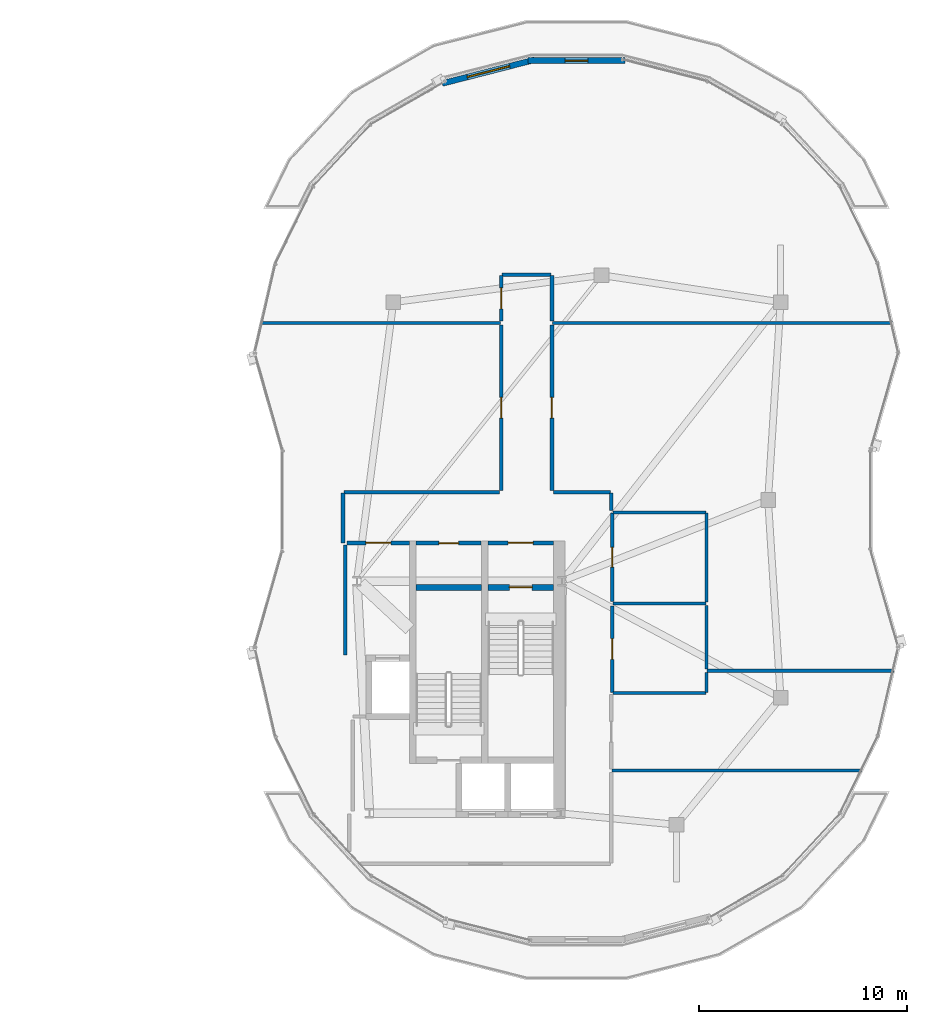
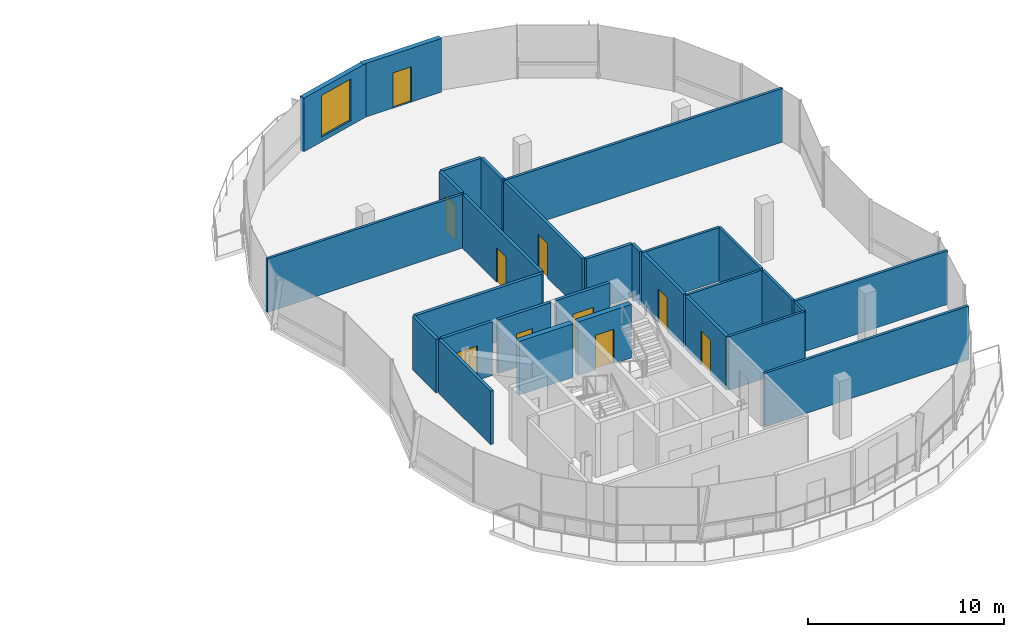
# One storey, part 14 of 20: 29 walls, 10 doors, 1 window, 11 openings.
"""IFC4 building model written with IfcOpenShell, lengths in metres."""

from ifc_helpers import new_model, si_unit, direction, frame, frame_2d, origin, place, context, subcontext, project, spatial, rectangle, extrude, material, layer, layer_set, type_object, element, fill, save


model = new_model("IFC4")

# Units and contexts
model_context = context("Model", 3, precision=1e-05, world=origin(), true_north=direction((0.0, 1.0)))
body_context = subcontext(model_context, "Body", "Model", "MODEL_VIEW")
ifc_project = project(units=[si_unit("LENGTHUNIT", "METRE"), si_unit("AREAUNIT", "SQUARE_METRE"), si_unit("VOLUMEUNIT", "CUBIC_METRE"), si_unit("PLANEANGLEUNIT", "RADIAN"), si_unit("MASSUNIT", "GRAM", prefix="KILO"), si_unit("THERMODYNAMICTEMPERATUREUNIT", "KELVIN"), si_unit("POWERUNIT", "WATT")], contexts=[model_context])

# Site, building, storey
site_placement = place(None, origin())
site = spatial("IfcSite", under=ifc_project, at=site_placement, CompositionType="ELEMENT")
building_placement = place(site_placement, origin())
building = spatial("IfcBuilding", under=site, at=building_placement, Name="Cundina Bronze Exchange", CompositionType="ELEMENT")
storey_placement = place(building_placement, frame((0.0, 0.0, 279.199951171875)))
storey = spatial("IfcBuildingStorey", under=building, at=storey_placement, Name="L74", CompositionType="ELEMENT", Elevation=279.199951171875)

# Wall
ifc_material_1 = material(Name="Gypsum Fireboard Partition EI120")
ifc_layer_1 = layer(ifc_material_1, 0.179931640625, Name="Gypsum Fireboard Partition EI120")
ifc_layer_set_1 = layer_set([ifc_layer_1], Name="Gypsum Fireboard Partition EI120")
wall_type_1 = type_object("IfcWallType", Name="WL-COR-180", PredefinedType="PARTITIONING", material=ifc_layer_set_1)
wall_1_placement = place(storey_placement, frame((20.889892578125, -7.449951171875, 0.0), z_axis=(0.0, 0.0, 1.0), x_axis=(0.0, 1.0, 0.0)))
element("IfcWall", 1, at=wall_1_placement, inside=storey, type_object=wall_type_1, Name="L74 E Firefighting Lobby Side Wall", PredefinedType="PARTITIONING", context=body_context, shape_type="SweptSolid", body=[
    extrude(rectangle(XDim=5.300048828125, YDim=0.179931640625, at=frame_2d((2.64990234375, 0.0))), origin(), (0.0, 0.0, 1.0), 3.340087890625),
])

# Wall, opening, door
wall_2_placement = place(storey_placement, frame((20.97998046875, -2.06005859375, 0.0), z_axis=(0.0, 0.0, 1.0), x_axis=(1.0, 0.0, 0.0)))
wall_2 = element("IfcWall", 2, at=wall_2_placement, inside=storey, type_object=wall_type_1, Name="L74 E Firefighting Lobby Exit Wall", PredefinedType="PARTITIONING", context=body_context, shape_type="SweptSolid", body=[
    extrude(rectangle(XDim=3.0, YDim=0.179931640625, at=frame_2d((1.5, 0.0))), origin(), (0.0, 0.0, 1.0), 3.340087890625),
])
opening_1_placement = place(wall_2_placement, frame((0.89990234375, 0.0, 0.0)))
opening_1 = element("IfcOpeningElement", 3, at=opening_1_placement, cuts=wall_2, Name="Opening DF-01", PredefinedType="OPENING", context=body_context, shape_type="SweptSolid", body=[
    extrude(rectangle(XDim=1.199951171875, YDim=2.14990234375, at=frame_2d((0.60009765625, 1.074951171875))), frame((0.0, 0.099853515625, 0.0), z_axis=(0.0, -1.0, 0.0), x_axis=(1.0, 0.0, 0.0)), (0.0, 0.0, 1.0), 0.199951171875),
])
ifc_material_2 = material(Name="Steel ASTM A36 Painted", Category="steel")
door_type_1 = type_object("IfcDoorType", Name="DR-FFL-1200", OperationType="NOTDEFINED", PredefinedType="DOOR", material=ifc_material_2)
door_1_placement = place(opening_1_placement, origin())
door_1 = element("IfcDoor", 4, at=door_1_placement, inside=storey, type_object=door_type_1, Name="L74 E Firefighting Lobby Door", OperationType="SINGLE_SWING_LEFT", OverallHeight=2.14990234375, OverallWidth=1.199951171875, PredefinedType="DOOR", context=body_context, shape_type="SweptSolid", body=[
    extrude(rectangle(XDim=1.199951171875, YDim=2.14990234375, at=frame_2d((0.60009765625, 1.074951171875))), frame((0.0, 0.02490234375, 0.0), z_axis=(0.0, -1.0, 0.0), x_axis=(1.0, 0.0, 0.0)), (0.0, 0.0, 1.0), 0.050048828125),
])
fill(opening_1, door_1)

wall_3_placement = place(storey_placement, frame((27.739990234375, -2.06005859375, 0.0), z_axis=(0.0, 0.0, 1.0), x_axis=(1.0, 0.0, 0.0)))
wall_3 = element("IfcWall", 5, at=wall_3_placement, inside=storey, type_object=wall_type_1, Name="L74 E Stair Vestibule Exit Wall", PredefinedType="PARTITIONING", context=body_context, shape_type="SweptSolid", body=[
    extrude(rectangle(XDim=3.159912109375, YDim=0.179931640625, at=frame_2d((1.580078125, 0.0))), origin(), (0.0, 0.0, 1.0), 3.340087890625),
])
opening_2_placement = place(wall_3_placement, frame((0.97998046875, 0.0, 0.0)))
opening_2 = element("IfcOpeningElement", 6, at=opening_2_placement, cuts=wall_3, Name="Opening DF-01", PredefinedType="OPENING", context=body_context, shape_type="SweptSolid", body=[
    extrude(rectangle(XDim=1.199951171875, YDim=2.14990234375, at=frame_2d((0.60009765625, 1.074951171875))), frame((0.0, 0.099853515625, 0.0), z_axis=(0.0, -1.0, 0.0), x_axis=(1.0, 0.0, 0.0)), (0.0, 0.0, 1.0), 0.199951171875),
])
door_2_placement = place(opening_2_placement, origin())
door_2 = element("IfcDoor", 7, at=door_2_placement, inside=storey, type_object=door_type_1, Name="L74 E Stair Vestibule Door", OperationType="SINGLE_SWING_RIGHT", OverallHeight=2.14990234375, OverallWidth=1.199951171875, PredefinedType="DOOR", context=body_context, shape_type="SweptSolid", body=[
    extrude(rectangle(XDim=1.199951171875, YDim=2.14990234375, at=frame_2d((0.60009765625, 1.074951171875))), frame((0.0, 0.02490234375, 0.0), z_axis=(0.0, -1.0, 0.0), x_axis=(1.0, 0.0, 0.0)), (0.0, 0.0, 1.0), 0.050048828125),
])
fill(opening_2, door_2)

wall_4_placement = place(storey_placement, frame((24.300048828125, -2.070068359375, 0.0), z_axis=(0.0, 0.0, 1.0), x_axis=(1.0, 0.0, 0.0)))
wall_4 = element("IfcWall", 8, at=wall_4_placement, inside=storey, type_object=wall_type_1, Name="L74 Interior Partition 031", PredefinedType="PARTITIONING", context=body_context, shape_type="SweptSolid", body=[
    extrude(rectangle(XDim=3.119873046875, YDim=0.179931640625, at=frame_2d((1.56005859375, 0.0))), origin(), (0.0, 0.0, 1.0), 3.340087890625),
])
opening_3_placement = place(wall_4_placement, frame((1.0849609375, 0.0, 0.0)))
opening_3 = element("IfcOpeningElement", 9, at=opening_3_placement, cuts=wall_4, Name="Opening DW-01", PredefinedType="OPENING", context=body_context, shape_type="SweptSolid", body=[
    extrude(rectangle(XDim=0.949951171875, YDim=2.10009765625, at=frame_2d((0.47509765625, 1.050048828125))), frame((0.0, 0.099853515625, 0.0), z_axis=(0.0, -1.0, 0.0), x_axis=(1.0, 0.0, 0.0)), (0.0, 0.0, 1.0), 0.199951171875),
])
ifc_material_3 = material(Name="Solid Andean Oak Timber Grade A", Category="wood")
door_type_2 = type_object("IfcDoorType", Name="DR-WC-950", OperationType="NOTDEFINED", PredefinedType="DOOR", material=ifc_material_3)
door_3_placement = place(opening_3_placement, origin())
door_3 = element("IfcDoor", 10, at=door_3_placement, inside=storey, type_object=door_type_2, Name="L74 Interior Door 031", OperationType="SINGLE_SWING_RIGHT", OverallHeight=2.10009765625, OverallWidth=0.949951171875, PredefinedType="DOOR", context=body_context, shape_type="SweptSolid", body=[
    extrude(rectangle(XDim=0.949951171875, YDim=2.10009765625, at=frame_2d((0.47509765625, 1.050048828125))), frame((0.0, 0.02490234375, 0.0), z_axis=(0.0, -1.0, 0.0), x_axis=(1.0, 0.0, 0.0)), (0.0, 0.0, 1.0), 0.050048828125),
])
fill(opening_3, door_3)

wall_5_placement = place(storey_placement, frame((33.719970703125, -4.8798828125, 0.0), z_axis=(0.0, 0.0, 1.0), x_axis=(0.0, 1.0, 0.0)))
wall_5 = element("IfcWall", 11, at=wall_5_placement, inside=storey, type_object=wall_type_1, Name="L74 Interior Partition 038", PredefinedType="PARTITIONING", context=body_context, shape_type="SweptSolid", body=[
    extrude(rectangle(XDim=4.259765625, YDim=0.179931640625, at=frame_2d((2.1298828125, 0.0))), origin(), (0.0, 0.0, 1.0), 3.340087890625),
])
opening_4_placement = place(wall_5_placement, frame((1.655029296875, 0.0, 0.0)))
opening_4 = element("IfcOpeningElement", 12, at=opening_4_placement, cuts=wall_5, Name="Opening DW-01", PredefinedType="OPENING", context=body_context, shape_type="SweptSolid", body=[
    extrude(rectangle(XDim=0.949951171875, YDim=2.10009765625, at=frame_2d((0.47509765625, 1.050048828125))), frame((0.0, 0.099853515625, 0.0), z_axis=(0.0, -1.0, 0.0), x_axis=(1.0, 0.0, 0.0)), (0.0, 0.0, 1.0), 0.199951171875),
])
door_4_placement = place(opening_4_placement, origin())
door_4 = element("IfcDoor", 13, at=door_4_placement, inside=storey, type_object=door_type_2, Name="L74 Interior Door 038", OperationType="SINGLE_SWING_RIGHT", OverallHeight=2.10009765625, OverallWidth=0.949951171875, PredefinedType="DOOR", context=body_context, shape_type="SweptSolid", body=[
    extrude(rectangle(XDim=0.949951171875, YDim=2.10009765625, at=frame_2d((0.47509765625, 1.050048828125))), frame((0.0, 0.02490234375, 0.0), z_axis=(0.0, -1.0, 0.0), x_axis=(1.0, 0.0, 0.0)), (0.0, 0.0, 1.0), 0.050048828125),
])
fill(opening_4, door_4)

wall_6_placement = place(storey_placement, frame((33.719970703125, -9.239990234375, 0.0), z_axis=(0.0, 0.0, 1.0), x_axis=(0.0, 1.0, 0.0)))
wall_6 = element("IfcWall", 14, at=wall_6_placement, inside=storey, type_object=wall_type_1, Name="L74 Interior Partition 039", PredefinedType="PARTITIONING", context=body_context, shape_type="SweptSolid", body=[
    extrude(rectangle(XDim=4.159912109375, YDim=0.179931640625, at=frame_2d((2.080078125, 0.0))), origin(), (0.0, 0.0, 1.0), 3.340087890625),
])
opening_5_placement = place(wall_6_placement, frame((1.580078125, 0.0, 0.0)))
opening_5 = element("IfcOpeningElement", 15, at=opening_5_placement, cuts=wall_6, Name="Opening DO-01", PredefinedType="OPENING", context=body_context, shape_type="SweptSolid", body=[
    extrude(rectangle(XDim=1.0, YDim=2.14990234375, at=frame_2d((0.5, 1.074951171875))), frame((0.0, 0.099853515625, 0.0), z_axis=(0.0, -1.0, 0.0), x_axis=(1.0, 0.0, 0.0)), (0.0, 0.0, 1.0), 0.199951171875),
])
door_type_3 = type_object("IfcDoorType", Name="DR-OFF-1000", OperationType="NOTDEFINED", PredefinedType="DOOR", material=ifc_material_3)
door_5_placement = place(opening_5_placement, origin())
door_5 = element("IfcDoor", 16, at=door_5_placement, inside=storey, type_object=door_type_3, Name="L74 Interior Door 039", OperationType="SINGLE_SWING_RIGHT", OverallHeight=2.14990234375, OverallWidth=1.0, PredefinedType="DOOR", context=body_context, shape_type="SweptSolid", body=[
    extrude(rectangle(XDim=1.0, YDim=2.14990234375, at=frame_2d((0.5, 1.074951171875))), frame((0.0, 0.02490234375, 0.0), z_axis=(0.0, -1.0, 0.0), x_axis=(1.0, 0.0, 0.0)), (0.0, 0.0, 1.0), 0.050048828125),
])
fill(opening_5, door_5)

wall_7_placement = place(storey_placement, frame((28.3798828125, 8.409912109375, 0.0), z_axis=(0.0, 0.0, 1.0), x_axis=(0.0, -1.0, 0.0)))
wall_7 = element("IfcWall", 17, at=wall_7_placement, inside=storey, type_object=wall_type_1, Name="L74 Interior Partition 047", PredefinedType="PARTITIONING", context=body_context, shape_type="SweptSolid", body=[
    extrude(rectangle(XDim=7.9599609375, YDim=0.179931640625, at=frame_2d((3.97998046875, 0.0))), origin(), (0.0, 0.0, 1.0), 3.340087890625),
])
opening_6_placement = place(wall_7_placement, frame((3.47998046875, 0.0, 0.0)))
opening_6 = element("IfcOpeningElement", 18, at=opening_6_placement, cuts=wall_7, Name="Opening DO-01", PredefinedType="OPENING", context=body_context, shape_type="SweptSolid", body=[
    extrude(rectangle(XDim=1.0, YDim=2.14990234375, at=frame_2d((0.5, 1.074951171875))), frame((0.0, 0.099853515625, 0.0), z_axis=(0.0, -1.0, 0.0), x_axis=(1.0, 0.0, 0.0)), (0.0, 0.0, 1.0), 0.199951171875),
])
door_6_placement = place(opening_6_placement, origin())
door_6 = element("IfcDoor", 19, at=door_6_placement, inside=storey, type_object=door_type_3, Name="L74 Interior Door 047", OperationType="SINGLE_SWING_LEFT", OverallHeight=2.14990234375, OverallWidth=1.0, PredefinedType="DOOR", context=body_context, shape_type="SweptSolid", body=[
    extrude(rectangle(XDim=1.0, YDim=2.14990234375, at=frame_2d((0.5, 1.074951171875))), frame((0.0, 0.02490234375, 0.0), z_axis=(0.0, -1.0, 0.0), x_axis=(1.0, 0.0, 0.0)), (0.0, 0.0, 1.0), 0.050048828125),
])
fill(opening_6, door_6)

# Walls
wall_8_placement = place(storey_placement, frame((28.300048828125, 0.3701171875, 0.0), z_axis=(0.0, 0.0, 1.0), x_axis=(-1.0, 0.0, 0.0)))
element("IfcWall", 20, at=wall_8_placement, inside=storey, type_object=wall_type_1, Name="L74 Interior Partition 048", PredefinedType="PARTITIONING", context=body_context, shape_type="SweptSolid", body=[
    extrude(rectangle(XDim=7.478515625, YDim=0.179931640625, at=frame_2d((3.7392578125, 0.0))), origin(), (0.0, 0.0, 1.0), 3.340087890625),
])
wall_9_placement = place(storey_placement, frame((20.780029296875, 0.32861328125, 0.0), z_axis=(0.0, 0.0, 1.0), x_axis=(0.0, -1.0, 0.0)))
element("IfcWall", 21, at=wall_9_placement, inside=storey, type_object=wall_type_1, Name="L74 Interior Partition 049", PredefinedType="PARTITIONING", context=body_context, shape_type="SweptSolid", body=[
    extrude(rectangle(XDim=2.38720703125, YDim=0.179931640625, at=frame_2d((1.193603515625, 0.0))), origin(), (0.0, 0.0, 1.0), 3.340087890625),
])

# Wall, opening, door
wall_10_placement = place(storey_placement, frame((30.820068359375, 0.449951171875, 0.0), z_axis=(0.0, 0.0, 1.0), x_axis=(0.0, 1.0, 0.0)))
wall_10 = element("IfcWall", 22, at=wall_10_placement, inside=storey, type_object=wall_type_1, Name="L74 Interior Partition 051", PredefinedType="PARTITIONING", context=body_context, shape_type="SweptSolid", body=[
    extrude(rectangle(XDim=7.9599609375, YDim=0.179931640625, at=frame_2d((3.97998046875, 0.0))), origin(), (0.0, 0.0, 1.0), 3.340087890625),
])
opening_7_placement = place(wall_10_placement, frame((3.47998046875, 0.0, 0.0)))
opening_7 = element("IfcOpeningElement", 23, at=opening_7_placement, cuts=wall_10, Name="Opening DO-01", PredefinedType="OPENING", context=body_context, shape_type="SweptSolid", body=[
    extrude(rectangle(XDim=1.0, YDim=2.14990234375, at=frame_2d((0.5, 1.074951171875))), frame((0.0, 0.099853515625, 0.0), z_axis=(0.0, -1.0, 0.0), x_axis=(1.0, 0.0, 0.0)), (0.0, 0.0, 1.0), 0.199951171875),
])
door_7_placement = place(opening_7_placement, origin())
door_7 = element("IfcDoor", 24, at=door_7_placement, inside=storey, type_object=door_type_3, Name="L74 Interior Door 051", OperationType="SINGLE_SWING_RIGHT", OverallHeight=2.14990234375, OverallWidth=1.0, PredefinedType="DOOR", context=body_context, shape_type="SweptSolid", body=[
    extrude(rectangle(XDim=1.0, YDim=2.14990234375, at=frame_2d((0.5, 1.074951171875))), frame((0.0, 0.02490234375, 0.0), z_axis=(0.0, -1.0, 0.0), x_axis=(1.0, 0.0, 0.0)), (0.0, 0.0, 1.0), 0.050048828125),
])
fill(opening_7, door_7)

# Walls
wall_11_placement = place(storey_placement, frame((33.62841796875, 0.3701171875, 0.0), z_axis=(0.0, 0.0, 1.0), x_axis=(-1.0, 0.0, 0.0)))
element("IfcWall", 25, at=wall_11_placement, inside=storey, type_object=wall_type_1, Name="L74 Interior Partition 052", PredefinedType="PARTITIONING", context=body_context, shape_type="SweptSolid", body=[
    extrude(rectangle(XDim=2.728515625, YDim=0.179931640625, at=frame_2d((1.3642578125, 0.0))), origin(), (0.0, 0.0, 1.0), 3.340087890625),
])
wall_12_placement = place(storey_placement, frame((33.669921875, -0.508544921875, 0.0), z_axis=(0.0, 0.0, 1.0), x_axis=(0.0, 1.0, 0.0)))
element("IfcWall", 26, at=wall_12_placement, inside=storey, type_object=wall_type_1, Name="L74 Interior Partition 053", PredefinedType="PARTITIONING", context=body_context, shape_type="SweptSolid", body=[
    extrude(rectangle(XDim=0.837158203125, YDim=0.179931640625, at=frame_2d((0.41845703125, 0.0))), origin(), (0.0, 0.0, 1.0), 3.340087890625),
])
wall_13_placement = place(storey_placement, frame((30.778564453125, 10.820068359375, 0.0), z_axis=(0.0, 0.0, 1.0), x_axis=(-1.0, 0.0, 0.0)))
element("IfcWall", 27, at=wall_13_placement, inside=storey, type_object=wall_type_1, Name="L74 Interior Partition 054", PredefinedType="PARTITIONING", context=body_context, shape_type="SweptSolid", body=[
    extrude(rectangle(XDim=2.357177734375, YDim=0.179931640625, at=frame_2d((1.1787109375, 0.0))), origin(), (0.0, 0.0, 1.0), 3.340087890625),
])

# Wall, opening, door
wall_14_placement = place(storey_placement, frame((28.3798828125, 10.778564453125, 0.0), z_axis=(0.0, 0.0, 1.0), x_axis=(0.0, -1.0, 0.0)))
wall_14 = element("IfcWall", 28, at=wall_14_placement, inside=storey, type_object=wall_type_1, Name="L74 Interior Partition 055", PredefinedType="PARTITIONING", context=body_context, shape_type="SweptSolid", body=[
    extrude(rectangle(XDim=2.1884765625, YDim=0.179931640625, at=frame_2d((1.09423828125, 0.0))), origin(), (0.0, 0.0, 1.0), 3.340087890625),
])
opening_8_placement = place(wall_14_placement, frame((0.59423828125, 0.0, 0.0)))
opening_8 = element("IfcOpeningElement", 29, at=opening_8_placement, cuts=wall_14, Name="Opening DO-01", PredefinedType="OPENING", context=body_context, shape_type="SweptSolid", body=[
    extrude(rectangle(XDim=1.0, YDim=2.14990234375, at=frame_2d((0.5, 1.074951171875))), frame((0.0, 0.099853515625, 0.0), z_axis=(0.0, -1.0, 0.0), x_axis=(1.0, 0.0, 0.0)), (0.0, 0.0, 1.0), 0.199951171875),
])
door_8_placement = place(opening_8_placement, origin())
door_8 = element("IfcDoor", 30, at=door_8_placement, inside=storey, type_object=door_type_3, Name="L74 Interior Door 055", OperationType="SINGLE_SWING_RIGHT", OverallHeight=2.14990234375, OverallWidth=1.0, PredefinedType="DOOR", context=body_context, shape_type="SweptSolid", body=[
    extrude(rectangle(XDim=1.0, YDim=2.14990234375, at=frame_2d((0.5, 1.074951171875))), frame((0.0, 0.02490234375, 0.0), z_axis=(0.0, -1.0, 0.0), x_axis=(1.0, 0.0, 0.0)), (0.0, 0.0, 1.0), 0.050048828125),
])
fill(opening_8, door_8)

# Wall
wall_15_placement = place(storey_placement, frame((30.820068359375, 8.590087890625, 0.0), z_axis=(0.0, 0.0, 1.0), x_axis=(0.0, 1.0, 0.0)))
element("IfcWall", 31, at=wall_15_placement, inside=storey, type_object=wall_type_1, Name="L74 Interior Partition 056", PredefinedType="PARTITIONING", context=body_context, shape_type="SweptSolid", body=[
    extrude(rectangle(XDim=2.1884765625, YDim=0.179931640625, at=frame_2d((1.09423828125, 0.0))), origin(), (0.0, 0.0, 1.0), 3.340087890625),
])

# Wall, opening, door
ifc_material_4 = material(Name="Precast Concrete C45/55", Category="concrete")
ifc_layer_2 = layer(ifc_material_4, 0.280029296875, Name="Precast Concrete C45/55", Category="concrete")
ifc_layer_set_2 = layer_set([ifc_layer_2], Name="Precast Concrete C45/55")
wall_type_2 = type_object("IfcWallType", Name="WL-EXT-280", PredefinedType="SOLIDWALL", material=ifc_layer_set_2)
wall_16_placement = place(storey_placement, frame((34.32177734375, 21.105712890625, 0.0), z_axis=(0.0, 0.0, 1.0), x_axis=(-1.0, 0.0, 0.0)))
wall_16 = element("IfcWall", 32, at=wall_16_placement, inside=storey, type_object=wall_type_2, Name="L74 Leg E Crown Terrace Wall 06", PredefinedType="SOLIDWALL", context=body_context, shape_type="SweptSolid", body=[
    extrude(rectangle(XDim=4.6435546875, YDim=0.280029296875, at=frame_2d((2.32177734375, 0.0))), origin(), (0.0, 0.0, 1.0), 3.340087890625),
])
opening_9_placement = place(wall_16_placement, frame((1.77197265625, 0.0, 0.0)))
opening_9 = element("IfcOpeningElement", 33, at=opening_9_placement, cuts=wall_16, Name="Opening DT-01", PredefinedType="OPENING", context=body_context, shape_type="SweptSolid", body=[
    extrude(rectangle(XDim=1.10009765625, YDim=2.199951171875, at=frame_2d((0.550048828125, 1.10009765625))), frame((0.0, 0.14990234375, 0.0), z_axis=(0.0, -1.0, 0.0), x_axis=(1.0, 0.0, 0.0)), (0.0, 0.0, 1.0), 0.300048828125),
])
ifc_material_5 = material(Name="Anodised Bronze Aluminium 6063-T6", Category="aluminium")
door_type_4 = type_object("IfcDoorType", Name="DR-TER-1100", OperationType="NOTDEFINED", PredefinedType="DOOR", material=ifc_material_5)
door_9_placement = place(opening_9_placement, origin())
door_9 = element("IfcDoor", 34, at=door_9_placement, inside=storey, type_object=door_type_4, Name="L74 Leg E Planted Terrace Access Door 06", OperationType="SINGLE_SWING_LEFT", OverallHeight=2.199951171875, OverallWidth=1.10009765625, PredefinedType="DOOR", context=body_context, shape_type="SweptSolid", body=[
    extrude(rectangle(XDim=1.10009765625, YDim=2.199951171875, at=frame_2d((0.550048828125, 1.10009765625))), frame((0.0, 0.02490234375, 0.0), z_axis=(0.0, -1.0, 0.0), x_axis=(1.0, 0.0, 0.0)), (0.0, 0.0, 1.0), 0.050048828125),
])
fill(opening_9, door_9)

# Wall, opening, window
wall_17_placement = place(storey_placement, frame((29.993408203125, 21.1455078125, 0.0), z_axis=(0.0, 0.0, 1.0), x_axis=(-0.968658938671, -0.248394566232, 0.0)))
wall_17 = element("IfcWall", 35, at=wall_17_placement, inside=storey, type_object=wall_type_2, Name="L74 Leg E Crown Feature Wall 07", PredefinedType="SOLIDWALL", context=body_context, shape_type="SweptSolid", body=[
    extrude(rectangle(XDim=4.585205078125, YDim=0.280029296875, at=frame_2d((2.29248046875, 0.0))), origin(), (0.0, 0.0, 1.0), 3.340087890625),
])
opening_10_placement = place(wall_17_placement, frame((1.242919921875, 0.0, 0.300048828125)))
opening_10 = element("IfcOpeningElement", 36, at=opening_10_placement, cuts=wall_17, Name="Opening W-04", PredefinedType="OPENING", context=body_context, shape_type="SweptSolid", body=[
    extrude(rectangle(XDim=2.10009765625, YDim=2.60009765625, at=frame_2d((1.050048828125, 1.300048828125))), frame((0.0, 0.14990234375, 0.0), z_axis=(0.0, -1.0, 0.0), x_axis=(1.0, 0.0, 0.0)), (0.0, 0.0, 1.0), 0.300048828125),
])
ifc_material_6 = material(Name="Clear Low-E Insulating Glass 26mm", Category="glass")
window_type = type_object("IfcWindowType", Name="WN-CRN-2100", PartitioningType="SINGLE_PANEL", PredefinedType="WINDOW", material=ifc_material_6)
window_placement = place(opening_10_placement, origin())
window = element("IfcWindow", 37, at=window_placement, inside=storey, type_object=window_type, Name="L74 Leg E Crown Pavilion Window 07", OverallHeight=2.60009765625, OverallWidth=2.10009765625, PartitioningType="SINGLE_PANEL", PredefinedType="WINDOW", context=body_context, shape_type="SweptSolid", body=[
    extrude(rectangle(XDim=2.10009765625, YDim=2.60009765625, at=frame_2d((1.050048828125, 1.300048828125))), frame((0.0, 0.030029296875, 0.0), z_axis=(0.0, -1.0, 0.0), x_axis=(1.0, 0.0, 0.0)), (0.0, 0.0, 1.0), 0.06005859375),
])
fill(opening_10, window)

# Wall, opening, door
ifc_material_7 = material(Name="Concrete C50/60", Category="concrete")
ifc_layer_3 = layer(ifc_material_7, 0.300048828125, Name="Concrete C50/60", Category="concrete")
ifc_layer_set_3 = layer_set([ifc_layer_3], Name="Concrete C50/60")
wall_type_3 = type_object("IfcWallType", Name="WL-SHFT-300", PredefinedType="SHEAR", material=ifc_layer_set_3)
wall_18_placement = place(storey_placement, frame((27.739990234375, -4.199951171875, 0.0), z_axis=(0.0, 0.0, 1.0), x_axis=(1.0, 0.0, 0.0)))
wall_18 = element("IfcWall", 38, at=wall_18_placement, inside=storey, type_object=wall_type_3, Name="L74 Stair E1 Landing Wall", PredefinedType="SHEAR", context=body_context, shape_type="SweptSolid", body=[
    extrude(rectangle(XDim=3.159912109375, YDim=0.300048828125, at=frame_2d((1.580078125, 0.0))), origin(), (0.0, 0.0, 1.0), 3.340087890625),
])
opening_11_placement = place(wall_18_placement, frame((1.030029296875, 0.0, 0.0)))
opening_11 = element("IfcOpeningElement", 39, at=opening_11_placement, cuts=wall_18, Name="Opening DS-01", PredefinedType="OPENING", context=body_context, shape_type="SweptSolid", body=[
    extrude(rectangle(XDim=1.10009765625, YDim=2.14990234375, at=frame_2d((0.550048828125, 1.074951171875))), frame((0.0, 0.159912109375, 0.0), z_axis=(0.0, -1.0, 0.0), x_axis=(1.0, 0.0, 0.0)), (0.0, 0.0, 1.0), 0.320068359375),
])
door_type_5 = type_object("IfcDoorType", Name="DR-STR-1100", OperationType="NOTDEFINED", PredefinedType="DOOR", material=ifc_material_2)
door_10_placement = place(opening_11_placement, origin())
door_10 = element("IfcDoor", 40, at=door_10_placement, inside=storey, type_object=door_type_5, Name="L74 Smokeproof Stair E1 Door", OperationType="SINGLE_SWING_LEFT", OverallHeight=2.14990234375, OverallWidth=1.10009765625, PredefinedType="DOOR", context=body_context, shape_type="SweptSolid", body=[
    extrude(rectangle(XDim=1.10009765625, YDim=2.14990234375, at=frame_2d((0.550048828125, 1.074951171875))), frame((0.0, 0.02490234375, 0.0), z_axis=(0.0, -1.0, 0.0), x_axis=(1.0, 0.0, 0.0)), (0.0, 0.0, 1.0), 0.050048828125),
])
fill(opening_11, door_10)

# Walls
wall_19_placement = place(storey_placement, frame((24.280029296875, -4.199951171875, 0.0), z_axis=(0.0, 0.0, 1.0), x_axis=(1.0, 0.0, 0.0)))
element("IfcWall", 41, at=wall_19_placement, inside=storey, type_object=wall_type_3, Name="L74 Stair E2 Far Shaft Wall", PredefinedType="SHEAR", context=body_context, shape_type="SweptSolid", body=[
    extrude(rectangle(XDim=3.159912109375, YDim=0.300048828125, at=frame_2d((1.580078125, 0.0))), origin(), (0.0, 0.0, 1.0), 3.340087890625),
])
ifc_material_8 = material(Name="Gypsum Acoustic Partition EI60")
ifc_layer_4 = layer(ifc_material_8, 0.14990234375, Name="Gypsum Acoustic Partition EI60")
ifc_layer_set_4 = layer_set([ifc_layer_4], Name="Gypsum Acoustic Partition EI60")
wall_type_4 = type_object("IfcWallType", Name="WL-TEN-150", PredefinedType="PARTITIONING", material=ifc_layer_set_4)
wall_20_placement = place(storey_placement, frame((16.827880859375, 8.5, 0.0), z_axis=(0.0, 0.0, 1.0), x_axis=(1.0, 0.0, 0.0)))
element("IfcWall", 42, at=wall_20_placement, inside=storey, type_object=wall_type_4, Name="L74 Interior Partition 040", PredefinedType="PARTITIONING", context=body_context, shape_type="SweptSolid", body=[
    extrude(rectangle(XDim=11.522216796875, YDim=0.14990234375, at=frame_2d((5.76123046875, 0.0))), origin(), (0.0, 0.0, 1.0), 3.340087890625),
])
wall_21_placement = place(storey_placement, frame((30.85009765625, 8.5, 0.0), z_axis=(0.0, 0.0, 1.0), x_axis=(1.0, 0.0, 0.0)))
element("IfcWall", 43, at=wall_21_placement, inside=storey, type_object=wall_type_4, Name="L74 Interior Partition 041", PredefinedType="PARTITIONING", context=body_context, shape_type="SweptSolid", body=[
    extrude(rectangle(XDim=16.322021484375, YDim=0.14990234375, at=frame_2d((8.1611328125, 0.0))), origin(), (0.0, 0.0, 1.0), 3.340087890625),
])
wall_22_placement = place(storey_placement, frame((38.27001953125, -8.199951171875, 0.0), z_axis=(0.0, 0.0, 1.0), x_axis=(1.0, 0.0, 0.0)))
element("IfcWall", 44, at=wall_22_placement, inside=storey, type_object=wall_type_4, Name="L74 Interior Partition 042", PredefinedType="PARTITIONING", context=body_context, shape_type="SweptSolid", body=[
    extrude(rectangle(XDim=8.971435546875, YDim=0.14990234375, at=frame_2d((4.48583984375, 0.0))), origin(), (0.0, 0.0, 1.0), 3.340087890625),
])
wall_23_placement = place(storey_placement, frame((33.699951171875, -13.0, 0.0), z_axis=(0.0, 0.0, 1.0), x_axis=(1.0, 0.0, 0.0)))
element("IfcWall", 45, at=wall_23_placement, inside=storey, type_object=wall_type_4, Name="L74 Interior Partition 043", PredefinedType="PARTITIONING", context=body_context, shape_type="SweptSolid", body=[
    extrude(rectangle(XDim=12.012939453125, YDim=0.14990234375, at=frame_2d((6.00634765625, 0.0))), origin(), (0.0, 0.0, 1.0), 3.340087890625),
])
ifc_material_9 = material(Name="Moisture-Resistant Masonry Block Grade M15", Category="masonry")
ifc_layer_5 = layer(ifc_material_9, 0.139892578125, Name="Moisture-Resistant Masonry Block Grade M15", Category="masonry")
ifc_layer_set_5 = layer_set([ifc_layer_5], Name="Moisture-Resistant Masonry Block Grade M15")
wall_type_5 = type_object("IfcWallType", Name="WL-WET-140", PredefinedType="PARTITIONING", material=ifc_layer_set_5)
wall_24_placement = place(storey_placement, frame((38.239990234375, -9.239990234375, 0.0), z_axis=(0.0, 0.0, 1.0), x_axis=(0.0, 1.0, 0.0)))
element("IfcWall", 46, at=wall_24_placement, inside=storey, type_object=wall_type_5, Name="L74 Interior Partition 032", PredefinedType="PARTITIONING", context=body_context, shape_type="SweptSolid", body=[
    extrude(rectangle(XDim=0.955078125, YDim=0.139892578125, at=frame_2d((0.4775390625, 0.0))), origin(), (0.0, 0.0, 1.0), 3.340087890625),
])
wall_25_placement = place(storey_placement, frame((38.239990234375, -8.114990234375, 0.0), z_axis=(0.0, 0.0, 1.0), x_axis=(0.0, 1.0, 0.0)))
element("IfcWall", 47, at=wall_25_placement, inside=storey, type_object=wall_type_5, Name="L74 Interior Partition 033", PredefinedType="PARTITIONING", context=body_context, shape_type="SweptSolid", body=[
    extrude(rectangle(XDim=3.050048828125, YDim=0.139892578125, at=frame_2d((1.52490234375, 0.0))), origin(), (0.0, 0.0, 1.0), 3.340087890625),
])
wall_26_placement = place(storey_placement, frame((38.239990234375, -4.89501953125, 0.0), z_axis=(0.0, 0.0, 1.0), x_axis=(0.0, 1.0, 0.0)))
element("IfcWall", 48, at=wall_26_placement, inside=storey, type_object=wall_type_5, Name="L74 Interior Partition 034", PredefinedType="PARTITIONING", context=body_context, shape_type="SweptSolid", body=[
    extrude(rectangle(XDim=4.27490234375, YDim=0.139892578125, at=frame_2d((2.137451171875, 0.0))), origin(), (0.0, 0.0, 1.0), 3.340087890625),
])
for number, where, z_axis, x_axis, name in (
    (49, (33.739990234375, -0.60009765625, 0.0), (0.0, 0.0, 1.0), (1.0, 0.0, 0.0), "L74 Interior Partition 035"),
    (50, (33.739990234375, -4.97998046875, 0.0), (0.0, 0.0, 1.0), (1.0, 0.0, 0.0), "L74 Interior Partition 036"),
    (51, (33.739990234375, -9.260009765625, 0.0), (0.0, 0.0, 1.0), (1.0, 0.0, 0.0), "L74 Interior Partition 037"),
):
    element("IfcWall", number, at=place(storey_placement, frame(where, z_axis=z_axis, x_axis=x_axis)), inside=storey, type_object=wall_type_5, Name=name, PredefinedType="PARTITIONING", context=body_context, shape_type="SweptSolid", body=[
        extrude(rectangle(XDim=4.47998046875, YDim=0.139892578125, at=frame_2d((2.239990234375, 0.0))), origin(), (0.0, 0.0, 1.0), 3.340087890625),
    ])

save(model, "model.ifc")
